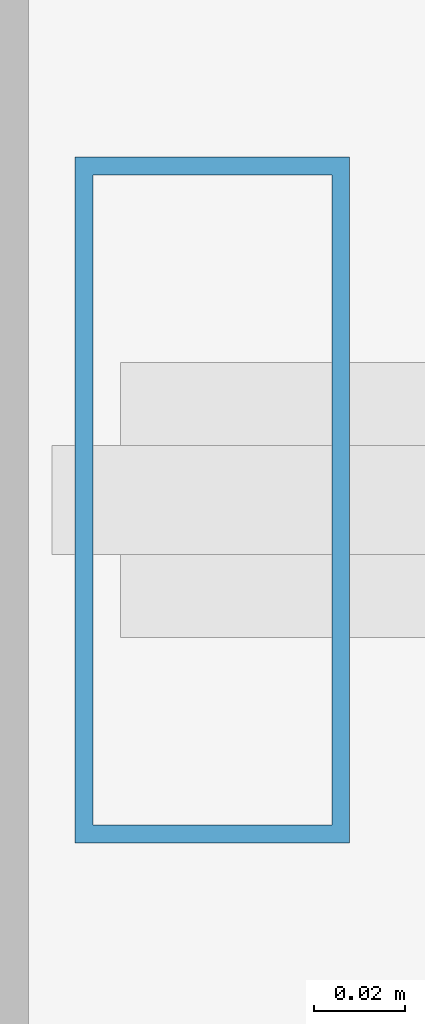
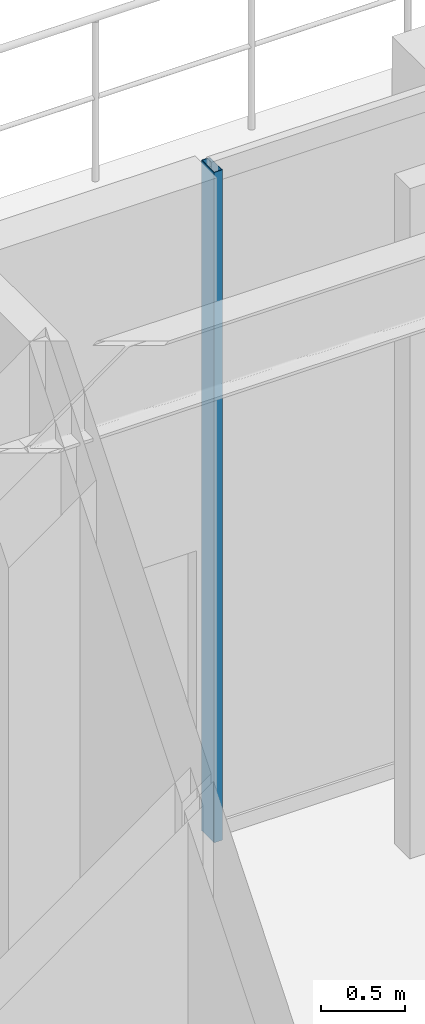
# One storey, part 2 of 12: 1 member, 1 element without a shape of its own.
"""IFC4 building model written with IfcOpenShell, lengths in metres."""

from ifc_helpers import new_model, si_unit, direction, frame, origin, origin_2d, place, context, subcontext, project, spatial, hollow_rectangle, extrude, material, material_profile, profile_set, type_object, element, aggregate, save


model = new_model("IFC4")

# Units and contexts
model_context = context("Model", 3, precision=1e-05, world=origin(), true_north=direction((0.0, 1.0)))
body_context = subcontext(model_context, "Body", "Model", "MODEL_VIEW")
ifc_project = project(units=[si_unit("LENGTHUNIT", "METRE"), si_unit("AREAUNIT", "SQUARE_METRE"), si_unit("VOLUMEUNIT", "CUBIC_METRE"), si_unit("PLANEANGLEUNIT", "RADIAN"), si_unit("MASSUNIT", "GRAM", prefix="KILO")], contexts=[model_context])

# Site, building, storey
site_placement = place(None, origin())
site = spatial("IfcSite", under=ifc_project, at=site_placement, CompositionType="ELEMENT")
building_placement = place(site_placement, origin())
building = spatial("IfcBuilding", under=site, at=building_placement, Name="Ventersveld Concourse Tower", CompositionType="ELEMENT")
storey_placement = place(building_placement, frame((0.0, 0.0, 251.699951171875)))
storey = spatial("IfcBuildingStorey", under=building, at=storey_placement, Name="L62", CompositionType="ELEMENT", Elevation=251.699951171875)

# Curtain wall, member
ifc_material = material(Name="Anodised aluminium EN AW-6063-T6", Category="aluminium")
curtain_wall_type = type_object("IfcCurtainWallType", Name="CW-SG-4", PredefinedType="NOTDEFINED", material=ifc_material)
curtain_wall_placement = place(storey_placement, origin())
curtain_wall = element("IfcCurtainWall", 1, at=curtain_wall_placement, inside=storey, type_object=curtain_wall_type, Name="L62 L62 Sky Garden Recessed Curtain Wall", PredefinedType="NOTDEFINED")
ifc_material_profile = material_profile(ifc_material, hollow_rectangle(XDim=0.06005859375, YDim=0.14990234375, WallThickness=0.00390625, at=origin_2d()), Name="ALU 150x60x4")
ifc_profile_set = profile_set([ifc_material_profile], Name="Anodised aluminium EN AW-6063-T6")
member_type = type_object("IfcMemberType", Name="CWM-150x65", PredefinedType="MULLION", material=ifc_profile_set)
member_placement = place(storey_placement, frame((23.2900390625, 29.841796875, 0.0), z_axis=(0.0, 0.0, 1.0), x_axis=(1.0, 0.0, 0.0)))
member = element("IfcMember", 2, at=member_placement, type_object=member_type, Name="CW-L62-SG Mullion 01", PredefinedType="MULLION", context=body_context, shape_type="SweptSolid", body=[
    extrude(hollow_rectangle(XDim=0.06005859375, YDim=0.14990234375, WallThickness=0.00390625, at=origin_2d()), origin(), (0.0, 0.0, 1.0), 4.85009765625),
])
aggregate(curtain_wall, [member])

save(model, "model.ifc")
